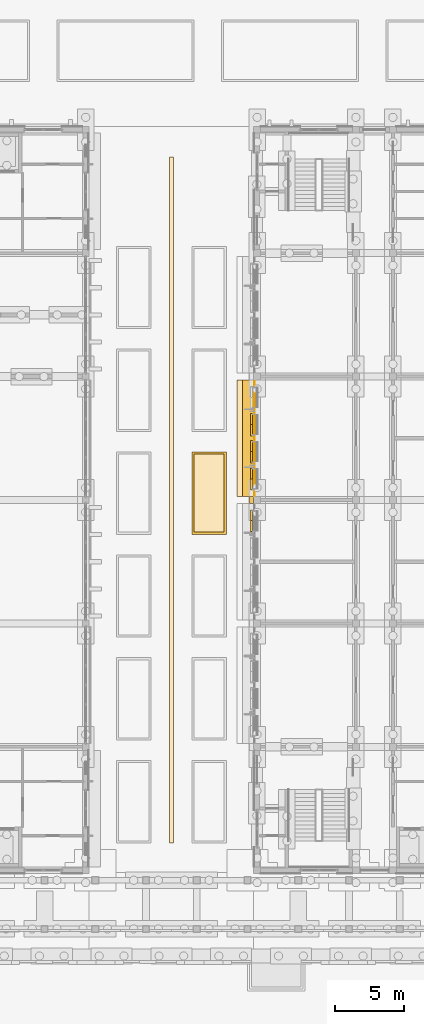
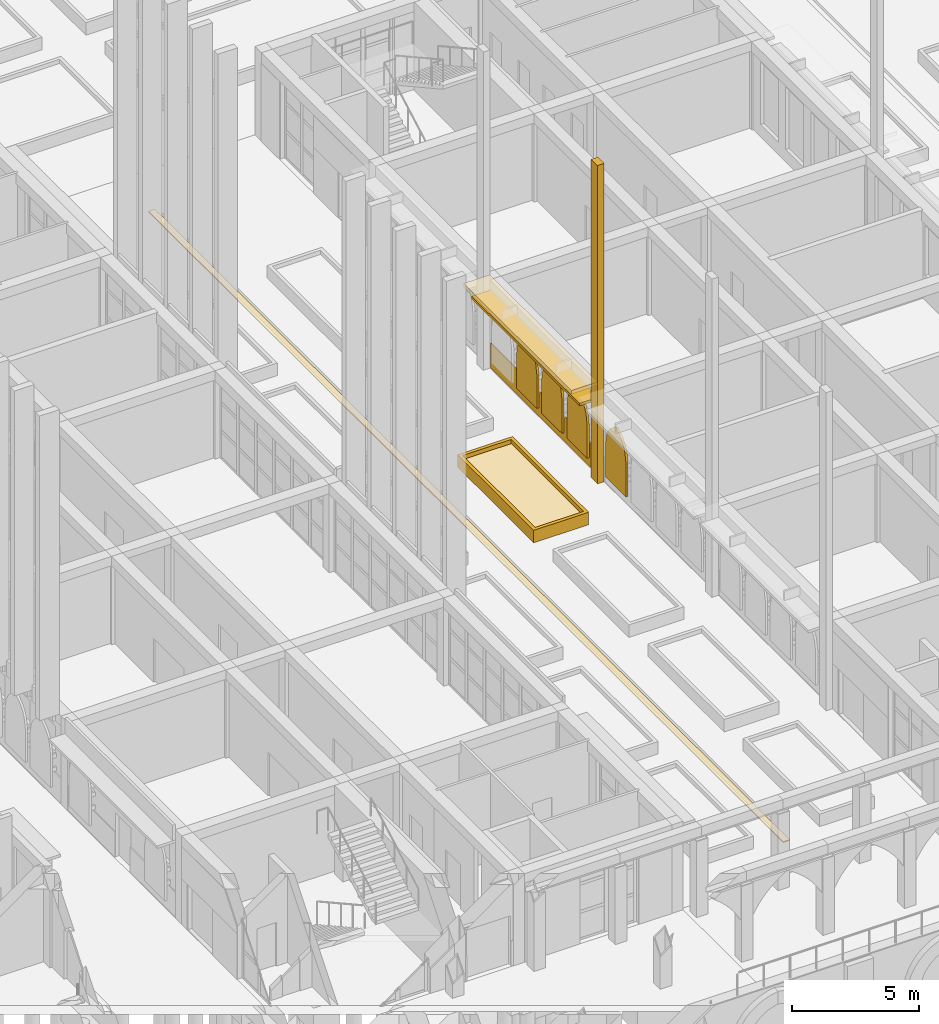
# One storey, part 104 of 161: 6 coverings, 5 shading devices.
"""IFC4 building model written with IfcOpenShell, lengths in metres."""

from ifc_helpers import new_model, si_unit, direction, frame, origin, origin_2d, place, context, subcontext, project, spatial, polyline, rectangle, outline, extrude, material, layer, layer_set, type_object, element, save


model = new_model("IFC4")

# Units and contexts
model_context = context("Model", 3, precision=1e-05, world=origin(), true_north=direction((0.0, 1.0)))
body_context = subcontext(model_context, "Body", "Model", "MODEL_VIEW")
ifc_project = project(units=[si_unit("LENGTHUNIT", "METRE"), si_unit("AREAUNIT", "SQUARE_METRE"), si_unit("VOLUMEUNIT", "CUBIC_METRE"), si_unit("PLANEANGLEUNIT", "RADIAN"), si_unit("MASSUNIT", "GRAM", prefix="KILO")], contexts=[model_context])

# Site, building, storey
site_placement = place(None, origin())
site = spatial("IfcSite", under=ifc_project, at=site_placement, CompositionType="ELEMENT")
building_placement = place(site_placement, origin())
building = spatial("IfcBuilding", under=site, at=building_placement, Name="Elbe Cascade School", CompositionType="ELEMENT")
storey_placement = place(building_placement, origin())
storey = spatial("IfcBuildingStorey", under=building, at=storey_placement, Name="L00", CompositionType="ELEMENT", Elevation=0.0)

# Shading devices
ifc_material_1 = material(Name="Precast concrete C30/37", Category="concrete")
ifc_layer_1 = layer(ifc_material_1, 0.1201171875)
ifc_layer_set_1 = layer_set([ifc_layer_1], Name="Precast concrete C30/37")
shading_device_type_1 = type_object("IfcShadingDeviceType", Name="Bars envelope Chhajja eave, precast concrete, 900 x 120", PredefinedType="USERDEFINED", material=ifc_layer_set_1)
shading_device_1_placement = place(storey_placement, frame((97.969970703125, 37.5, 3.6298828125), z_axis=(0.0, 0.0, 1.0), x_axis=(0.0, 1.0, 0.0)))
element("IfcShadingDevice", 1, at=shading_device_1_placement, inside=storey, type_object=shading_device_type_1, Name="Chhajja eave SD2 B.L00.w4", ObjectType="CHHAJJA", PredefinedType="USERDEFINED", context=body_context, shape_type="SweptSolid", body=[
    extrude(rectangle(XDim=8.5, YDim=0.89990234375, at=origin_2d()), origin(), (0.0, 0.0, 1.0), 0.1201171875),
])
ifc_material_2 = material(Name="Precast concrete C40/50", Category="concrete")
ifc_layer_2 = layer(ifc_material_2, 0.10009765625)
ifc_layer_set_2 = layer_set([ifc_layer_2], Name="Precast concrete C40/50")
shading_device_type_2 = type_object("IfcShadingDeviceType", Name="Bars envelope Jali screen 1600 x 2840, pointed arch rise 1200, pierced precast concrete", PredefinedType="USERDEFINED", material=ifc_layer_set_2)
shading_device_2_placement = place(storey_placement, frame((98.139892578125, 30.669921875, 2.239990234375), z_axis=(-1.0, 0.0, 0.0), x_axis=(0.0, 0.196300278283, 0.98054382908)))
element("IfcShadingDevice", 2, at=shading_device_2_placement, inside=storey, type_object=shading_device_type_2, Name="Jali screen SD3 B.L00.w3.4", ObjectType="JALI", PredefinedType="USERDEFINED", context=body_context, shape_type="SweptSolid", body=[
    extrude(outline(polyline([(0.0, 0.0), (0.509921112317134, 0.0), (0.7186888708788461, 0.0602894897654897), (0.8735458233318658, 0.1311226852889124), (0.9982874871653163, 0.20823380534668107), (1.102872417131342, 0.2891312241218946), (1.1919448840573539, 0.37338315020117196), (1.2683296500699814, 0.46017509452971084), (1.3336545243794973, 0.5489321924158467), (1.3075801207519657, 0.6562359822289878), (1.270445825421322, 0.7655049255997259), (1.220671754049922, 0.877553277802997), (1.1553372947658807, 0.9927167467270602), (1.069846101614414, 1.1116665143685687), (0.9542396198433787, 1.2368942065444228), (0.7847223319636507, 1.37266560447821), (0.31409961520112845, 1.5689658827607584), (-1.2938869326328684, 1.8908772522001815), (-1.6079865478339967, 0.32191136943942317), (0.0, 0.0)])), origin(), (0.0, 0.0, -1.0), 0.10009765625),
])
shading_device_3_placement = place(storey_placement, frame((98.139892578125, 33.72998046875, 2.239990234375), z_axis=(-1.0, 0.0, 0.0), x_axis=(0.0, 0.196300278283, 0.98054382908)))
element("IfcShadingDevice", 3, at=shading_device_3_placement, inside=storey, type_object=shading_device_type_2, Name="Jali screen SD3 B.L00.w4.1", ObjectType="JALI", PredefinedType="USERDEFINED", context=body_context, shape_type="SweptSolid", body=[
    extrude(outline(polyline([(0.0, 0.0), (0.509921112317134, 0.0), (0.7186409460062186, 0.06005009918221829), (0.8735458233318658, 0.1311226852889124), (0.9982395622926888, 0.20799441476340969), (1.102872417131342, 0.2891312241218946), (1.1919448840573539, 0.37338315020117196), (1.268281725197354, 0.45993570394643946), (1.3336545243794973, 0.5489321924158467), (1.3075321958793382, 0.6559965916457164), (1.270445825421322, 0.7655049255997259), (1.220671754049922, 0.877553277802997), (1.155289369893253, 0.9924773561437888), (1.069846101614414, 1.1116665143685687), (0.9541916949707512, 1.2366548159611515), (0.7847223319636507, 1.37266560447821), (0.31409961520112845, 1.5689658827607584), (-1.2938869326328684, 1.8908772522001815), (-1.6079865478339967, 0.32191136943942317), (0.0, 0.0)])), origin(), (0.0, 0.0, -1.0), 0.10009765625),
])
for number, where, z_axis, x_axis, name in (
    (4, (98.139892578125, 35.7099609375, 2.239990234375), (-1.0, 0.0, 0.0), (0.0, 0.196300278283, 0.98054382908), "Jali screen SD3 B.L00.w4.2"),
    (5, (98.139892578125, 37.68994140625, 2.239990234375), (-1.0, 0.0, 0.0), (0.0, 0.196300278283, 0.98054382908), "Jali screen SD3 B.L00.w4.3"),
):
    element("IfcShadingDevice", number, at=place(storey_placement, frame(where, z_axis=z_axis, x_axis=x_axis)), inside=storey, type_object=shading_device_type_2, Name=name, ObjectType="JALI", PredefinedType="USERDEFINED", context=body_context, shape_type="SweptSolid", body=[
        extrude(outline(polyline([(0.0, 0.0), (0.509921112317134, 0.0), (0.7186409460062186, 0.06005009918221829), (0.8735458233318658, 0.1311226852889124), (0.9982874871653163, 0.20823380534668107), (1.102872417131342, 0.2891312241218946), (1.1919448840573539, 0.37338315020117196), (1.268281725197354, 0.45993570394643946), (1.3336545243794973, 0.5489321924158467), (1.3075801207519657, 0.6562359822289878), (1.270445825421322, 0.7655049255997259), (1.220671754049922, 0.877553277802997), (1.155289369893253, 0.9924773561437888), (1.069846101614414, 1.1116665143685687), (0.9542396198433787, 1.2368942065444228), (0.7847223319636507, 1.37266560447821), (0.31409961520112845, 1.5689658827607584), (-1.2938869326328684, 1.8908772522001815), (-1.6079865478339967, 0.32191136943942317), (0.0, 0.0)])), origin(), (0.0, 0.0, -1.0), 0.10009765625),
    ])

# Coverings
ifc_material_3 = material(Name="Sandstone - red", Category="masonry")
covering_type_1 = type_object("IfcCoveringType", Name="Bars envelope Sandstone chhajja slab, 1200 deep", PredefinedType="CLADDING", material=ifc_material_3)
covering_1_placement = place(storey_placement, frame((97.75, 37.5, 4.31982421875), z_axis=(0.0, 0.0, 1.0), x_axis=(0.0, 1.0, 0.0)))
element("IfcCovering", 6, at=covering_1_placement, inside=storey, type_object=covering_type_1, Name="Chhajja slab CV61 B.L00.w3.1", PredefinedType="CLADDING", context=body_context, shape_type="SweptSolid", body=[
    extrude(rectangle(XDim=8.5, YDim=1.199951171875, at=origin_2d()), origin(), (0.0, 0.0, 1.0), 0.179931640625),
])
ifc_material_4 = material(Name="Sandstone - red", Category="masonry")
ifc_layer_3 = layer(ifc_material_4, 0.0400390625)
ifc_layer_set_3 = layer_set([ifc_layer_3], Name="Sandstone - red")
covering_type_2 = type_object("IfcCoveringType", Name="Bars envelope Sandstone cladding, red, 40 mm", PredefinedType="CLADDING", material=ifc_layer_set_3)
covering_2_placement = place(storey_placement, frame((98.39990234375, 37.5, 0.0), z_axis=(0.0, 0.0, 1.0), x_axis=(0.0, 1.0, 0.0)))
element("IfcCovering", 7, at=covering_2_placement, inside=storey, type_object=covering_type_2, Name="Sandstone cladding CV48 B.L00.w.4.1", PredefinedType="CLADDING", context=body_context, shape_type="SweptSolid", body=[
    extrude(rectangle(XDim=8.5, YDim=0.0400390625, at=origin_2d()), origin(), (0.0, 0.0, 1.0), 1.199951171875),
])
ifc_material_5 = material(Name="Sandstone - red", Category="masonry")
covering_type_3 = type_object("IfcCoveringType", Name="Bars envelope Sandstone pilaster, 300 deep", PredefinedType="CLADDING", material=ifc_material_5)
covering_3_placement = place(storey_placement, frame((98.199951171875, 33.0, 0.0), z_axis=(0.0, 0.0, 1.0), x_axis=(0.0, 1.0, 0.0)))
element("IfcCovering", 8, at=covering_3_placement, inside=storey, type_object=covering_type_3, Name="Pilaster CV60 B.w3", PredefinedType="CLADDING", context=body_context, shape_type="SweptSolid", body=[
    extrude(rectangle(XDim=0.5, YDim=0.300048828125, at=origin_2d()), origin(), (0.0, 0.0, 1.0), 15.300048828125),
])
ifc_material_6 = material(Name="Sandstone - red", Category="masonry")
ifc_layer_4 = layer(ifc_material_6, 0.050048828125)
ifc_layer_set_4 = layer_set([ifc_layer_4], Name="Sandstone - red")
covering_type_4 = type_object("IfcCoveringType", Name="Rill lining 50", PredefinedType="USERDEFINED", material=ifc_layer_set_4)
covering_4_placement = place(storey_placement, frame((0.0, 0.0, -0.199951171875)))
element("IfcCovering", 9, at=covering_4_placement, inside=storey, type_object=covering_type_4, Name="Water rill lining court AB", ObjectType="WATER CHANNEL", PredefinedType="USERDEFINED", context=body_context, shape_type="SweptSolid", body=[
    extrude(outline(polyline([(92.199951171875, 8.0), (92.5, 8.0), (92.5, 58.0), (92.199951171875, 58.0), (92.199951171875, 8.0)])), origin(), (0.0, 0.0, 1.0), 0.050048828125),
])
ifc_material_7 = material(Name="Planting - soil and shrubs", Category="soil")
ifc_layer_5 = layer(ifc_material_7, 0.39990234375)
ifc_layer_set_5 = layer_set([ifc_layer_5], Name="Planting - soil and shrubs")
covering_type_5 = type_object("IfcCoveringType", Name="Site planting bed 400", PredefinedType="USERDEFINED", material=ifc_layer_set_5)
covering_5_placement = place(storey_placement, origin())
element("IfcCovering", 10, at=covering_5_placement, inside=storey, type_object=covering_type_5, Name="Court A-B planting bed east 4", ObjectType="PLANTING BED", PredefinedType="USERDEFINED", context=body_context, shape_type="SweptSolid", body=[
    extrude(outline(polyline([(94.0, 30.64990234375), (96.199951171875, 30.64990234375), (96.199951171875, 36.35009765625), (94.0, 36.35009765625), (94.0, 30.64990234375)])), origin(), (0.0, 0.0, 1.0), 0.39990234375),
])
ifc_material_8 = material(Name="Concrete C30/37 precast kerb", Category="concrete")
ifc_layer_6 = layer(ifc_material_8, 0.14990234375)
ifc_layer_set_6 = layer_set([ifc_layer_6], Name="Concrete C30/37 precast kerb")
covering_type_6 = type_object("IfcCoveringType", Name="Site planting bed kerb 150x600", PredefinedType="CLADDING", material=ifc_layer_set_6)
covering_6_placement = place(storey_placement, origin())
element("IfcCovering", 11, at=covering_6_placement, inside=storey, type_object=covering_type_6, Name="Court A-B planting bed kerb east 4", PredefinedType="CLADDING", context=body_context, shape_type="SweptSolid", body=[
    extrude(outline(polyline([(93.85009765625, 30.5), (96.35009765625, 30.5), (96.35009765625, 36.5), (93.85009765625, 36.5), (93.85009765625, 30.5)]), holes=[polyline([(94.0, 30.64990234375), (96.199951171875, 30.64990234375), (96.199951171875, 36.35009765625), (94.0, 36.35009765625), (94.0, 30.64990234375)])]), origin(), (0.0, 0.0, 1.0), 0.60009765625),
])

save(model, "model.ifc")
